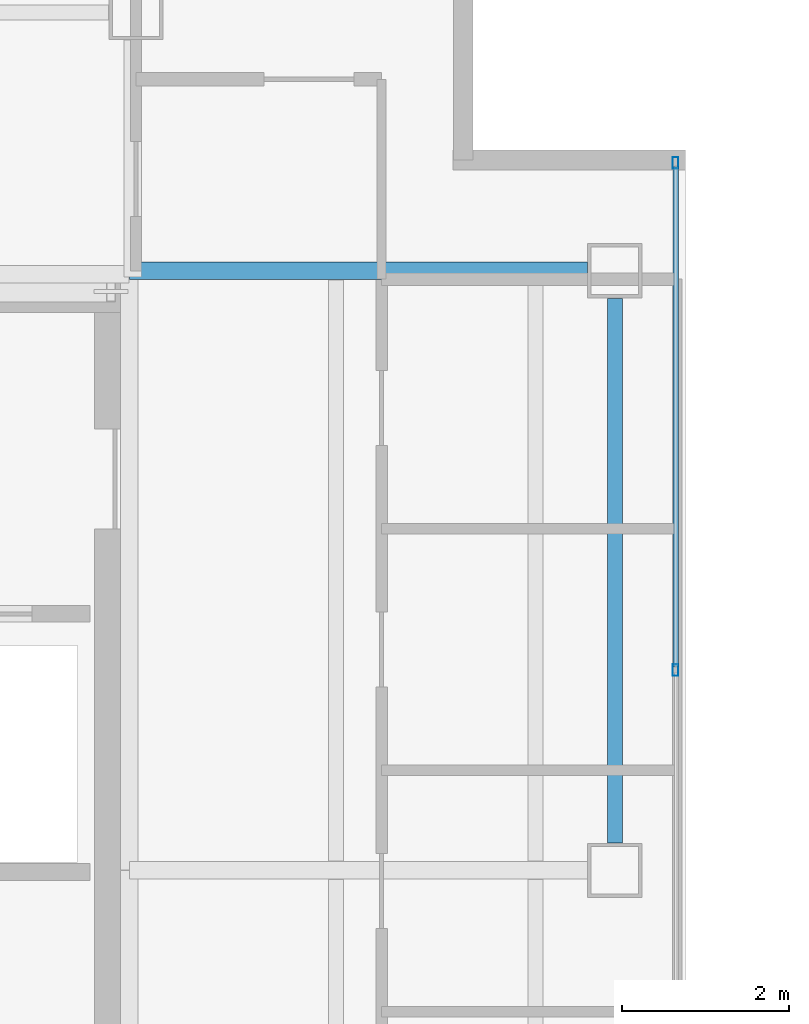
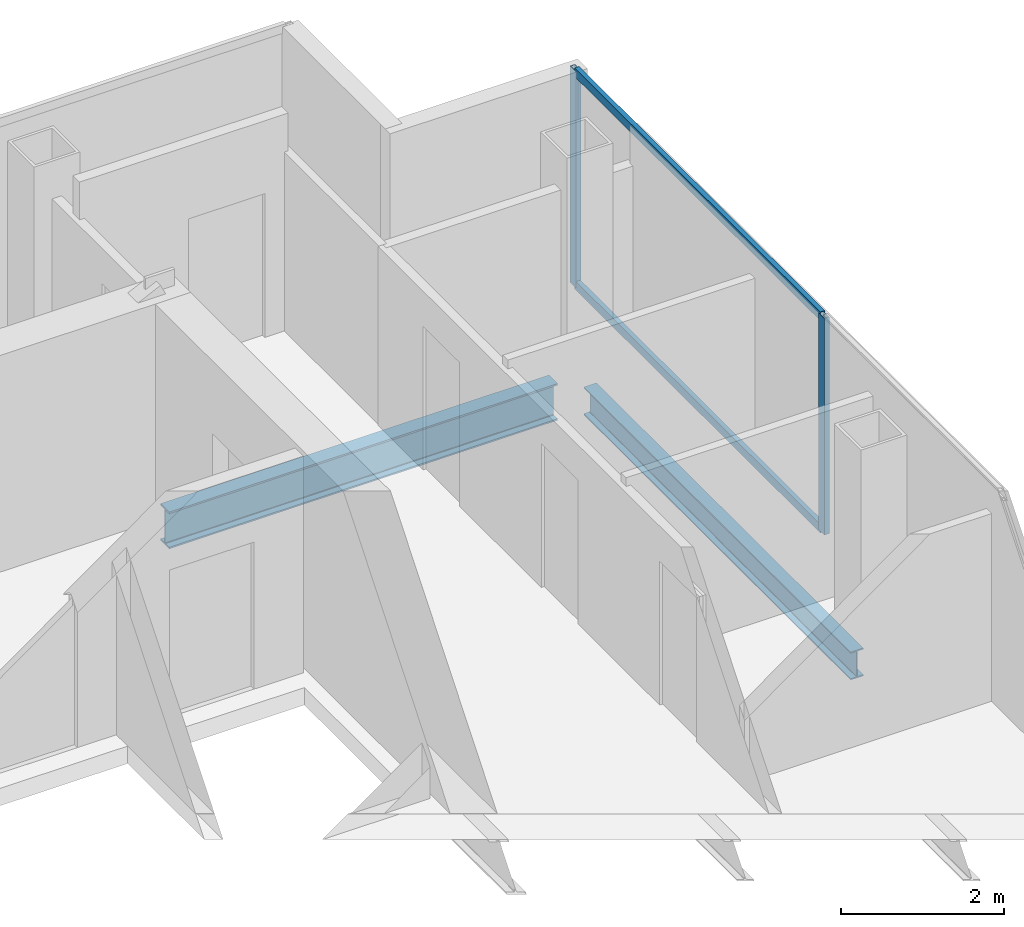
# One storey, part 11 of 23: 4 members, 2 beams, 1 element without a shape of its own.
"""IFC4 building model written with IfcOpenShell, lengths in metres."""

from ifc_helpers import new_model, si_unit, direction, frame, origin, origin_2d, place, context, subcontext, project, spatial, hollow_rectangle, i_section, extrude, material, material_profile, profile_set, type_object, element, aggregate, save


model = new_model("IFC4")

# Units and contexts
model_context = context("Model", 3, precision=1e-05, world=origin(), true_north=direction((0.0, 1.0)))
body_context = subcontext(model_context, "Body", "Model", "MODEL_VIEW")
ifc_project = project(units=[si_unit("LENGTHUNIT", "METRE"), si_unit("AREAUNIT", "SQUARE_METRE"), si_unit("VOLUMEUNIT", "CUBIC_METRE"), si_unit("PLANEANGLEUNIT", "RADIAN"), si_unit("MASSUNIT", "GRAM", prefix="KILO")], contexts=[model_context])

# Site, building, storey
site_placement = place(None, origin())
site = spatial("IfcSite", under=ifc_project, at=site_placement, CompositionType="ELEMENT")
building_placement = place(site_placement, origin())
building = spatial("IfcBuilding", under=site, at=building_placement, Name="Cobrela Telecom Tower", CompositionType="ELEMENT")
storey_placement = place(building_placement, frame((0.0, 0.0, 251.64990234375)))
storey = spatial("IfcBuildingStorey", under=building, at=storey_placement, Name="L65", CompositionType="ELEMENT", Elevation=251.64990234375)

# Beams
ifc_material_1 = material(Name="Steel ASTM A992 Grade 50", Category="steel")
ifc_material_profile_1 = material_profile(ifc_material_1, i_section(OverallWidth=0.212890625, OverallDepth=0.549072265625, WebThickness=0.0146484375, FlangeThickness=0.023681640625, FilletRadius=0.013916015625, at=origin_2d()), Name="W21X93")
ifc_profile_set_1 = profile_set([ifc_material_profile_1], Name="Steel ASTM A992 Grade 50")
beam_type_1 = type_object("IfcBeamType", Name="BM-GIRD-08", PredefinedType="USERDEFINED", material=ifc_profile_set_1)
beam_1_placement = place(storey_placement, frame((14.324951171875, 36.0, -0.534423828125), z_axis=(1.0, 0.0, 0.0), x_axis=(0.0, 1.0, 0.0)))
element("IfcBeam", 1, at=beam_1_placement, inside=storey, type_object=beam_type_1, Name="L65 Primary Girder X18", ObjectType="GIRDER", PredefinedType="USERDEFINED", context=body_context, shape_type="SweptSolid", body=[
    extrude(i_section(OverallWidth=0.212890625, OverallDepth=0.549072265625, WebThickness=0.0146484375, FlangeThickness=0.023681640625, FilletRadius=0.013916015625, at=origin_2d()), origin(), (0.0, 0.0, 1.0), 5.4951171875),
])
ifc_material_profile_2 = material_profile(ifc_material_1, i_section(OverallWidth=0.179931640625, OverallDepth=0.4169921875, WebThickness=0.010986328125, FlangeThickness=0.01806640625, FilletRadius=0.011962890625, at=origin_2d()), Name="W16X57")
ifc_profile_set_2 = profile_set([ifc_material_profile_2], Name="Steel ASTM A992 Grade 50")
beam_type_2 = type_object("IfcBeamType", Name="BM-SPAND-06", PredefinedType="SPANDREL", material=ifc_profile_set_2)
beam_2_placement = place(storey_placement, frame((20.14990234375, 29.1298828125, -0.468505859375), z_axis=(0.0, 1.0, 0.0), x_axis=(-1.0, 0.0, 0.0)))
element("IfcBeam", 2, at=beam_2_placement, inside=storey, type_object=beam_type_2, Name="L65 Perimeter Spandrel Y26", PredefinedType="SPANDREL", context=body_context, shape_type="SweptSolid", body=[
    extrude(i_section(OverallWidth=0.179931640625, OverallDepth=0.4169921875, WebThickness=0.010986328125, FlangeThickness=0.01806640625, FilletRadius=0.011962890625, at=origin_2d()), origin(), (0.0, 0.0, 1.0), 6.5400390625),
])

# Curtain wall, members
ifc_material_2 = material(Name="Anodized Bronze Aluminium 6063-T6", Category="aluminium")
curtain_wall_type = type_object("IfcCurtainWallType", Name="CW-SYS-OFF-HI", PredefinedType="USERDEFINED", material=ifc_material_2)
curtain_wall_placement = place(storey_placement, origin())
curtain_wall = element("IfcCurtainWall", 3, at=curtain_wall_placement, inside=storey, type_object=curtain_wall_type, Name="L65 Unitised Bronze Curtain Wall 08", ObjectType="UNITISED CURTAIN WALL", PredefinedType="USERDEFINED")
ifc_material_profile_3 = material_profile(ifc_material_2, hollow_rectangle(XDim=0.070068359375, YDim=0.139892578125, WallThickness=0.00390625, at=origin_2d()), Name="ALU 70x140x4")
ifc_profile_set_3 = profile_set([ifc_material_profile_3], Name="Anodized Bronze Aluminium 6063-T6")
member_type_1 = type_object("IfcMemberType", Name="CW-SYS-OFF-HI-MUL", PredefinedType="MULLION", material=ifc_profile_set_3)
member_1_placement = place(storey_placement, frame((20.8798828125, 37.294921875, 0.0), z_axis=(0.0, 0.0, 1.0), x_axis=(1.0, 0.0, 0.0)))
member_1 = element("IfcMember", 4, at=member_1_placement, type_object=member_type_1, Name="CW-OFF-HI mullion 1", PredefinedType="MULLION", context=body_context, shape_type="SweptSolid", body=[
    extrude(hollow_rectangle(XDim=0.070068359375, YDim=0.139892578125, WallThickness=0.00390625, at=origin_2d()), origin(), (0.0, 0.0, 1.0), 3.239990234375),
])
member_2_placement = place(storey_placement, frame((20.8798828125, 31.205078125, 0.0), z_axis=(0.0, 0.0, 1.0), x_axis=(1.0, 0.0, 0.0)))
member_2 = element("IfcMember", 5, at=member_2_placement, type_object=member_type_1, Name="CW-OFF-HI mullion 2", PredefinedType="MULLION", context=body_context, shape_type="SweptSolid", body=[
    extrude(hollow_rectangle(XDim=0.070068359375, YDim=0.139892578125, WallThickness=0.00390625, at=origin_2d()), origin(), (0.0, 0.0, 1.0), 3.239990234375),
])
ifc_material_profile_4 = material_profile(ifc_material_2, hollow_rectangle(XDim=0.06494140625, YDim=0.1298828125, WallThickness=0.00390625, at=origin_2d()), Name="ALU 65x130x4")
ifc_profile_set_4 = profile_set([ifc_material_profile_4], Name="Anodized Bronze Aluminium 6063-T6")
member_type_2 = type_object("IfcMemberType", Name="CW-SYS-OFF-HI-TRN", PredefinedType="USERDEFINED", material=ifc_profile_set_4)
member_3_placement = place(storey_placement, frame((20.8798828125, 37.260009765625, 0.03271484375), z_axis=(0.0, -1.0, 0.0), x_axis=(1.0, 0.0, 0.0)))
member_3 = element("IfcMember", 6, at=member_3_placement, type_object=member_type_2, Name="CW-OFF-HI transom 1.1", ObjectType="TRANSOM", PredefinedType="USERDEFINED", context=body_context, shape_type="SweptSolid", body=[
    extrude(hollow_rectangle(XDim=0.06494140625, YDim=0.1298828125, WallThickness=0.00390625, at=origin_2d()), origin(), (0.0, 0.0, 1.0), 6.02001953125),
])
member_4_placement = place(storey_placement, frame((20.8798828125, 37.260009765625, 3.20751953125), z_axis=(0.0, -1.0, 0.0), x_axis=(1.0, 0.0, 0.0)))
member_4 = element("IfcMember", 7, at=member_4_placement, type_object=member_type_2, Name="CW-OFF-HI transom 1.2", ObjectType="TRANSOM", PredefinedType="USERDEFINED", context=body_context, shape_type="SweptSolid", body=[
    extrude(hollow_rectangle(XDim=0.06494140625, YDim=0.1298828125, WallThickness=0.00390625, at=origin_2d()), origin(), (0.0, 0.0, 1.0), 6.02001953125),
])
aggregate(curtain_wall, [member_1, member_2, member_3, member_4])

save(model, "model.ifc")
